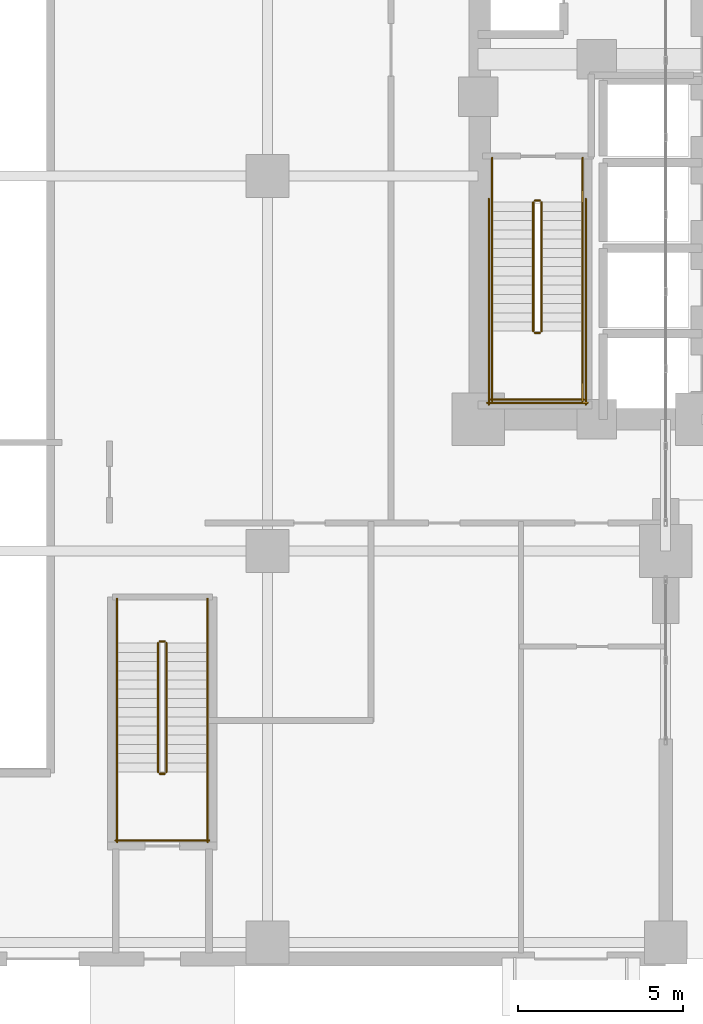
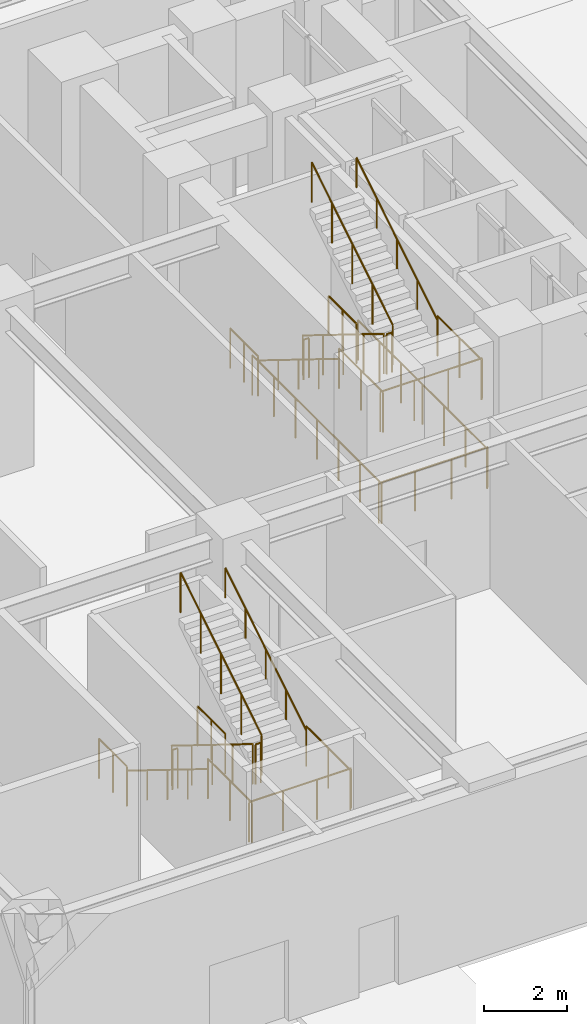
# One storey, part 21 of 23: 25 railings.
"""IFC4 building model written with IfcOpenShell, lengths in metres."""

from ifc_helpers import new_model, si_unit, direction, frame, origin, origin_2d, place, context, subcontext, project, spatial, circle, extrude, material, type_object, element, save


model = new_model("IFC4")

# Units and contexts
model_context = context("Model", 3, precision=1e-05, world=origin(), true_north=direction((0.0, 1.0)))
body_context = subcontext(model_context, "Body", "Model", "MODEL_VIEW")
ifc_project = project(units=[si_unit("LENGTHUNIT", "METRE"), si_unit("AREAUNIT", "SQUARE_METRE"), si_unit("VOLUMEUNIT", "CUBIC_METRE"), si_unit("PLANEANGLEUNIT", "RADIAN"), si_unit("MASSUNIT", "GRAM", prefix="KILO")], contexts=[model_context])

# Site, building, storey
site_placement = place(None, origin())
site = spatial("IfcSite", under=ifc_project, at=site_placement, CompositionType="ELEMENT")
building_placement = place(site_placement, origin())
building = spatial("IfcBuilding", under=site, at=building_placement, Name="Voryun Gate Residences", CompositionType="ELEMENT")
storey_placement = place(building_placement, origin())
storey = spatial("IfcBuildingStorey", under=building, at=storey_placement, Name="L00", CompositionType="ELEMENT", Elevation=0.0)

# Railings
ifc_material_1 = material(Name="Painted steel", Category="steel")
railing_type_1 = type_object("IfcRailingType", Name="RAIL_STAIR_GUARD_1200", PredefinedType="GUARDRAIL", material=ifc_material_1)
railing_1_placement = place(storey_placement, frame((-17.52490234375, -0.800048828125, 0.17333984375)))
element("IfcRailing", 1, at=railing_1_placement, inside=storey, type_object=railing_type_1, Name="L00 ST-W1 stair guard 1", PredefinedType="GUARDRAIL", context=body_context, shape_type="SweptSolid", body=[
    extrude(circle(Radius=0.02392578125, at=origin_2d()), frame((0.0, 0.0, 1.17578125), z_axis=(0.0, -0.850251603719, 0.526376491091), x_axis=(1.0, 0.0, 0.0)), (0.0, 0.0, 1.0), 4.6103515625),
    extrude(circle(Radius=0.02099609375, at=origin_2d()), origin(), (0.0, 0.0, 1.0), 1.15185546875),
    extrude(circle(Radius=0.02099609375, at=origin_2d()), frame((0.0, -0.97998046875, 0.606689453125)), (0.0, 0.0, 1.0), 1.15185546875),
    extrude(circle(Radius=0.02099609375, at=origin_2d()), frame((0.0, -1.9599609375, 1.21337890625)), (0.0, 0.0, 1.0), 1.15185546875),
    extrude(circle(Radius=0.02099609375, at=origin_2d()), frame((0.0, -2.93994140625, 1.820068359375)), (0.0, 0.0, 1.0), 1.15185546875),
    extrude(circle(Radius=0.02099609375, at=origin_2d()), frame((0.0, -3.919921875, 2.4267578125)), (0.0, 0.0, 1.0), 1.15185546875),
])
railing_2_placement = place(storey_placement, frame((-17.47509765625, -4.77001953125, 2.60009765625)))
element("IfcRailing", 2, at=railing_2_placement, inside=storey, type_object=railing_type_1, Name="L00 ST-W1 stair guard 2", PredefinedType="GUARDRAIL", context=body_context, shape_type="SweptSolid", body=[
    extrude(circle(Radius=0.02392578125, at=origin_2d()), frame((0.0, 0.0, 1.17578125), z_axis=(1.0, 0.0, 0.0), x_axis=(0.0, 1.0, 0.0)), (0.0, 0.0, 1.0), 0.150146484375),
    extrude(circle(Radius=0.02099609375, at=origin_2d()), origin(), (0.0, 0.0, 1.0), 1.15185546875),
    extrude(circle(Radius=0.02099609375, at=origin_2d()), frame((0.150146484375, 0.0, 0.0)), (0.0, 0.0, 1.0), 1.15185546875),
])
for number, where, name in (
    (3, (-18.77490234375, -4.719970703125, 2.60009765625), "L00 ST-W1 stair guard 3"),
    (4, (-16.02490234375, -4.719970703125, 2.60009765625), "L00 ST-W1 stair guard 4"),
):
    element("IfcRailing", number, at=place(storey_placement, frame(where)), inside=storey, type_object=railing_type_1, Name=name, PredefinedType="GUARDRAIL", context=body_context, shape_type="SweptSolid", body=[
        extrude(circle(Radius=0.02392578125, at=origin_2d()), frame((0.0, 0.0, 1.17578125), z_axis=(0.0, -1.0, 0.0), x_axis=(1.0, 0.0, 0.0)), (0.0, 0.0, 1.0), 2.130126953125),
        extrude(circle(Radius=0.02099609375, at=origin_2d()), origin(), (0.0, 0.0, 1.0), 1.15185546875),
        extrude(circle(Radius=0.02099609375, at=origin_2d()), frame((0.0, -1.06494140625, 0.0)), (0.0, 0.0, 1.0), 1.15185546875),
        extrude(circle(Radius=0.02099609375, at=origin_2d()), frame((0.0, -2.130126953125, 0.0)), (0.0, 0.0, 1.0), 1.15185546875),
    ])
railing_3_placement = place(storey_placement, frame((-18.824951171875, -6.800048828125, 2.60009765625)))
element("IfcRailing", 5, at=railing_3_placement, inside=storey, type_object=railing_type_1, Name="L00 ST-W1 stair guard 5", PredefinedType="GUARDRAIL", context=body_context, shape_type="SweptSolid", body=[
    extrude(circle(Radius=0.02392578125, at=origin_2d()), frame((0.0, 0.0, 1.17578125), z_axis=(1.0, 0.0, 0.0), x_axis=(0.0, 1.0, 0.0)), (0.0, 0.0, 1.0), 2.849853515625),
    extrude(circle(Radius=0.02099609375, at=origin_2d()), origin(), (0.0, 0.0, 1.0), 1.15185546875),
    extrude(circle(Radius=0.02099609375, at=origin_2d()), frame((0.949951171875, 0.0, 0.0)), (0.0, 0.0, 1.0), 1.15185546875),
    extrude(circle(Radius=0.02099609375, at=origin_2d()), frame((1.89990234375, 0.0, 0.0)), (0.0, 0.0, 1.0), 1.15185546875),
    extrude(circle(Radius=0.02099609375, at=origin_2d()), frame((2.849853515625, 0.0, 0.0)), (0.0, 0.0, 1.0), 1.15185546875),
])
railing_4_placement = place(storey_placement, frame((-17.27490234375, -4.719970703125, 2.7734375)))
element("IfcRailing", 6, at=railing_4_placement, inside=storey, type_object=railing_type_1, Name="L00 ST-W1 stair guard 6", PredefinedType="GUARDRAIL", context=body_context, shape_type="SweptSolid", body=[
    extrude(circle(Radius=0.02392578125, at=origin_2d()), frame((0.0, 0.0, 1.17578125), z_axis=(0.0, 0.850275303828, 0.526338206574), x_axis=(-1.0, 0.0, 0.0)), (0.0, 0.0, 1.0), 4.610107421875),
    extrude(circle(Radius=0.02099609375, at=origin_2d()), origin(), (0.0, 0.0, 1.0), 1.15185546875),
    extrude(circle(Radius=0.02099609375, at=origin_2d()), frame((0.0, 0.97998046875, 0.606689453125)), (0.0, 0.0, 1.0), 1.15185546875),
    extrude(circle(Radius=0.02099609375, at=origin_2d()), frame((0.0, 1.9599609375, 1.21337890625)), (0.0, 0.0, 1.0), 1.15185546875),
    extrude(circle(Radius=0.02099609375, at=origin_2d()), frame((0.0, 2.93994140625, 1.81982421875)), (0.0, 0.0, 1.0), 1.15185546875),
    extrude(circle(Radius=0.02099609375, at=origin_2d()), frame((0.0, 3.919921875, 2.426513671875)), (0.0, 0.0, 1.0), 1.15185546875),
])
railing_5_placement = place(storey_placement, frame((-17.47509765625, -0.75, 0.0)))
element("IfcRailing", 7, at=railing_5_placement, inside=storey, type_object=railing_type_1, Name="L00 ST-W1 stair guard 7", PredefinedType="GUARDRAIL", context=body_context, shape_type="SweptSolid", body=[
    extrude(circle(Radius=0.02392578125, at=origin_2d()), frame((0.0, 0.0, 1.17578125), z_axis=(1.0, 0.0, 0.0), x_axis=(0.0, 1.0, 0.0)), (0.0, 0.0, 1.0), 0.150146484375),
    extrude(circle(Radius=0.02099609375, at=origin_2d()), origin(), (0.0, 0.0, 1.0), 1.15185546875),
    extrude(circle(Radius=0.02099609375, at=origin_2d()), frame((0.150146484375, 0.0, 0.0)), (0.0, 0.0, 1.0), 1.15185546875),
])
for number, where, name in (
    (8, (-18.77490234375, 0.550048828125, 0.0), "L00 ST-W1 stair guard 8"),
    (9, (-16.02490234375, 0.550048828125, 0.0), "L00 ST-W1 stair guard 9"),
):
    element("IfcRailing", number, at=place(storey_placement, frame(where)), inside=storey, type_object=railing_type_1, Name=name, PredefinedType="GUARDRAIL", context=body_context, shape_type="SweptSolid", body=[
        extrude(circle(Radius=0.02392578125, at=origin_2d()), frame((0.0, 0.0, 1.17578125), z_axis=(0.0, -1.0, 0.0), x_axis=(1.0, 0.0, 0.0)), (0.0, 0.0, 1.0), 1.35009765625),
        extrude(circle(Radius=0.02099609375, at=origin_2d()), origin(), (0.0, 0.0, 1.0), 1.15185546875),
        extrude(circle(Radius=0.02099609375, at=origin_2d()), frame((0.0, -0.675048828125, 0.0)), (0.0, 0.0, 1.0), 1.15185546875),
        extrude(circle(Radius=0.02099609375, at=origin_2d()), frame((0.0, -1.35009765625, 0.0)), (0.0, 0.0, 1.0), 1.15185546875),
    ])
for number, where, name in (
    (10, (-18.875, -0.699951171875, 0.0), "L00 ST-W1 stair guard 10"),
    (11, (-15.925048828125, -0.699951171875, 0.0), "L00 ST-W1 stair guard 11"),
):
    element("IfcRailing", number, at=place(storey_placement, frame(where)), inside=storey, type_object=railing_type_1, Name=name, PredefinedType="GUARDRAIL", context=body_context, shape_type="SweptSolid", body=[
        extrude(circle(Radius=0.02392578125, at=origin_2d()), frame((0.0, 0.0, 1.17578125), z_axis=(0.0, -1.0, 0.0), x_axis=(1.0, 0.0, 0.0)), (0.0, 0.0, 1.0), 6.25),
        extrude(circle(Radius=0.02099609375, at=origin_2d()), origin(), (0.0, 0.0, 1.0), 1.15185546875),
        extrude(circle(Radius=0.02099609375, at=origin_2d()), frame((0.0, -1.041748046875, 0.0)), (0.0, 0.0, 1.0), 1.15185546875),
        extrude(circle(Radius=0.02099609375, at=origin_2d()), frame((0.0, -2.083251953125, 0.0)), (0.0, 0.0, 1.0), 1.15185546875),
        extrude(circle(Radius=0.02099609375, at=origin_2d()), frame((0.0, -3.125, 0.0)), (0.0, 0.0, 1.0), 1.15185546875),
        extrude(circle(Radius=0.02099609375, at=origin_2d()), frame((0.0, -4.166748046875, 0.0)), (0.0, 0.0, 1.0), 1.15185546875),
        extrude(circle(Radius=0.02099609375, at=origin_2d()), frame((0.0, -5.208251953125, 0.0)), (0.0, 0.0, 1.0), 1.15185546875),
        extrude(circle(Radius=0.02099609375, at=origin_2d()), frame((0.0, -6.25, 0.0)), (0.0, 0.0, 1.0), 1.15185546875),
    ])
railing_6_placement = place(storey_placement, frame((-18.925048828125, -6.89990234375, 0.0)))
element("IfcRailing", 12, at=railing_6_placement, inside=storey, type_object=railing_type_1, Name="L00 ST-W1 stair guard 12", PredefinedType="GUARDRAIL", context=body_context, shape_type="SweptSolid", body=[
    extrude(circle(Radius=0.02392578125, at=origin_2d()), frame((0.0, 0.0, 1.17578125), z_axis=(1.0, 0.0, 0.0), x_axis=(0.0, 1.0, 0.0)), (0.0, 0.0, 1.0), 3.050048828125),
    extrude(circle(Radius=0.02099609375, at=origin_2d()), origin(), (0.0, 0.0, 1.0), 1.15185546875),
    extrude(circle(Radius=0.02099609375, at=origin_2d()), frame((1.0166015625, 0.0, 0.0)), (0.0, 0.0, 1.0), 1.15185546875),
    extrude(circle(Radius=0.02099609375, at=origin_2d()), frame((2.033447265625, 0.0, 0.0)), (0.0, 0.0, 1.0), 1.15185546875),
    extrude(circle(Radius=0.02099609375, at=origin_2d()), frame((3.050048828125, 0.0, 0.0)), (0.0, 0.0, 1.0), 1.15185546875),
])
railing_7_placement = place(storey_placement, frame((-28.925048828125, -14.199951171875, 0.17333984375)))
element("IfcRailing", 13, at=railing_7_placement, inside=storey, type_object=railing_type_1, Name="L00 ST-P1 stair guard 1", PredefinedType="GUARDRAIL", context=body_context, shape_type="SweptSolid", body=[
    extrude(circle(Radius=0.02392578125, at=origin_2d()), frame((0.0, 0.0, 1.17578125), z_axis=(0.0, -0.850266275192, 0.526352791643), x_axis=(1.0, 0.0, 0.0)), (0.0, 0.0, 1.0), 4.610595703125),
    extrude(circle(Radius=0.02099609375, at=origin_2d()), origin(), (0.0, 0.0, 1.0), 1.15185546875),
    extrude(circle(Radius=0.02099609375, at=origin_2d()), frame((0.0, -0.97998046875, 0.606689453125)), (0.0, 0.0, 1.0), 1.15185546875),
    extrude(circle(Radius=0.02099609375, at=origin_2d()), frame((0.0, -1.9599609375, 1.21337890625)), (0.0, 0.0, 1.0), 1.15185546875),
    extrude(circle(Radius=0.02099609375, at=origin_2d()), frame((0.0, -2.940185546875, 1.820068359375)), (0.0, 0.0, 1.0), 1.15185546875),
    extrude(circle(Radius=0.02099609375, at=origin_2d()), frame((0.0, -3.920166015625, 2.4267578125)), (0.0, 0.0, 1.0), 1.15185546875),
])
railing_8_placement = place(storey_placement, frame((-28.875, -18.169921875, 2.60009765625)))
element("IfcRailing", 14, at=railing_8_placement, inside=storey, type_object=railing_type_1, Name="L00 ST-P1 stair guard 2", PredefinedType="GUARDRAIL", context=body_context, shape_type="SweptSolid", body=[
    extrude(circle(Radius=0.02392578125, at=origin_2d()), frame((0.0, 0.0, 1.17578125), z_axis=(1.0, 0.0, 0.0), x_axis=(0.0, 1.0, 0.0)), (0.0, 0.0, 1.0), 0.14990234375),
    extrude(circle(Radius=0.02099609375, at=origin_2d()), origin(), (0.0, 0.0, 1.0), 1.15185546875),
    extrude(circle(Radius=0.02099609375, at=origin_2d()), frame((0.14990234375, 0.0, 0.0)), (0.0, 0.0, 1.0), 1.15185546875),
])
for number, where, name in (
    (15, (-30.175048828125, -18.1201171875, 2.60009765625), "L00 ST-P1 stair guard 3"),
    (16, (-27.425048828125, -18.1201171875, 2.60009765625), "L00 ST-P1 stair guard 4"),
):
    element("IfcRailing", number, at=place(storey_placement, frame(where)), inside=storey, type_object=railing_type_1, Name=name, PredefinedType="GUARDRAIL", context=body_context, shape_type="SweptSolid", body=[
        extrude(circle(Radius=0.02392578125, at=origin_2d()), frame((0.0, 0.0, 1.17578125), z_axis=(0.0, -1.0, 0.0), x_axis=(1.0, 0.0, 0.0)), (0.0, 0.0, 1.0), 2.1298828125),
        extrude(circle(Radius=0.02099609375, at=origin_2d()), origin(), (0.0, 0.0, 1.0), 1.15185546875),
        extrude(circle(Radius=0.02099609375, at=origin_2d()), frame((0.0, -1.06494140625, 0.0)), (0.0, 0.0, 1.0), 1.15185546875),
        extrude(circle(Radius=0.02099609375, at=origin_2d()), frame((0.0, -2.1298828125, 0.0)), (0.0, 0.0, 1.0), 1.15185546875),
    ])
railing_9_placement = place(storey_placement, frame((-30.22509765625, -20.199951171875, 2.60009765625)))
element("IfcRailing", 17, at=railing_9_placement, inside=storey, type_object=railing_type_1, Name="L00 ST-P1 stair guard 5", PredefinedType="GUARDRAIL", context=body_context, shape_type="SweptSolid", body=[
    extrude(circle(Radius=0.02392578125, at=origin_2d()), frame((0.0, 0.0, 1.17578125), z_axis=(1.0, 0.0, 0.0), x_axis=(0.0, 1.0, 0.0)), (0.0, 0.0, 1.0), 2.85009765625),
    extrude(circle(Radius=0.02099609375, at=origin_2d()), origin(), (0.0, 0.0, 1.0), 1.15185546875),
    extrude(circle(Radius=0.02099609375, at=origin_2d()), frame((0.949951171875, 0.0, 0.0)), (0.0, 0.0, 1.0), 1.15185546875),
    extrude(circle(Radius=0.02099609375, at=origin_2d()), frame((1.900146484375, 0.0, 0.0)), (0.0, 0.0, 1.0), 1.15185546875),
    extrude(circle(Radius=0.02099609375, at=origin_2d()), frame((2.85009765625, 0.0, 0.0)), (0.0, 0.0, 1.0), 1.15185546875),
])
railing_10_placement = place(storey_placement, frame((-28.675048828125, -18.1201171875, 2.7734375)))
element("IfcRailing", 18, at=railing_10_placement, inside=storey, type_object=railing_type_1, Name="L00 ST-P1 stair guard 6", PredefinedType="GUARDRAIL", context=body_context, shape_type="SweptSolid", body=[
    extrude(circle(Radius=0.02392578125, at=origin_2d()), frame((0.0, 0.0, 1.17578125), z_axis=(0.0, 0.850289973577, 0.526314507528), x_axis=(-1.0, 0.0, 0.0)), (0.0, 0.0, 1.0), 4.6103515625),
    extrude(circle(Radius=0.02099609375, at=origin_2d()), origin(), (0.0, 0.0, 1.0), 1.15185546875),
    extrude(circle(Radius=0.02099609375, at=origin_2d()), frame((0.0, 0.97998046875, 0.606689453125)), (0.0, 0.0, 1.0), 1.15185546875),
    extrude(circle(Radius=0.02099609375, at=origin_2d()), frame((0.0, 1.9599609375, 1.21337890625)), (0.0, 0.0, 1.0), 1.15185546875),
    extrude(circle(Radius=0.02099609375, at=origin_2d()), frame((0.0, 2.940185546875, 1.81982421875)), (0.0, 0.0, 1.0), 1.15185546875),
    extrude(circle(Radius=0.02099609375, at=origin_2d()), frame((0.0, 3.920166015625, 2.426513671875)), (0.0, 0.0, 1.0), 1.15185546875),
])
railing_11_placement = place(storey_placement, frame((-28.875, -14.14990234375, 0.0)))
element("IfcRailing", 19, at=railing_11_placement, inside=storey, type_object=railing_type_1, Name="L00 ST-P1 stair guard 7", PredefinedType="GUARDRAIL", context=body_context, shape_type="SweptSolid", body=[
    extrude(circle(Radius=0.02392578125, at=origin_2d()), frame((0.0, 0.0, 1.17578125), z_axis=(1.0, 0.0, 0.0), x_axis=(0.0, 1.0, 0.0)), (0.0, 0.0, 1.0), 0.14990234375),
    extrude(circle(Radius=0.02099609375, at=origin_2d()), origin(), (0.0, 0.0, 1.0), 1.15185546875),
    extrude(circle(Radius=0.02099609375, at=origin_2d()), frame((0.14990234375, 0.0, 0.0)), (0.0, 0.0, 1.0), 1.15185546875),
])
for number, where, name in (
    (20, (-30.175048828125, -12.85009765625, 0.0), "L00 ST-P1 stair guard 8"),
    (21, (-27.425048828125, -12.85009765625, 0.0), "L00 ST-P1 stair guard 9"),
):
    element("IfcRailing", number, at=place(storey_placement, frame(where)), inside=storey, type_object=railing_type_1, Name=name, PredefinedType="GUARDRAIL", context=body_context, shape_type="SweptSolid", body=[
        extrude(circle(Radius=0.02392578125, at=origin_2d()), frame((0.0, 0.0, 1.17578125), z_axis=(0.0, -1.0, 0.0), x_axis=(1.0, 0.0, 0.0)), (0.0, 0.0, 1.0), 1.349853515625),
        extrude(circle(Radius=0.02099609375, at=origin_2d()), origin(), (0.0, 0.0, 1.0), 1.15185546875),
        extrude(circle(Radius=0.02099609375, at=origin_2d()), frame((0.0, -0.6748046875, 0.0)), (0.0, 0.0, 1.0), 1.15185546875),
        extrude(circle(Radius=0.02099609375, at=origin_2d()), frame((0.0, -1.349853515625, 0.0)), (0.0, 0.0, 1.0), 1.15185546875),
    ])
ifc_material_2 = material(Name="Painted steel", Category="steel")
railing_type_2 = type_object("IfcRailingType", Name="RAIL_STAIR_HANDRAIL_900", PredefinedType="HANDRAIL", material=ifc_material_2)
railing_12_placement = place(storey_placement, frame((-18.77490234375, -0.800048828125, 0.17333984375)))
element("IfcRailing", 22, at=railing_12_placement, inside=storey, type_object=railing_type_2, Name="L00 ST-W1 stair handrail 1", PredefinedType="HANDRAIL", context=body_context, shape_type="SweptSolid", body=[
    extrude(circle(Radius=0.02392578125, at=origin_2d()), frame((0.0, 0.0, 0.8759765625), z_axis=(0.0, -0.850251603719, 0.526376491091), x_axis=(1.0, 0.0, 0.0)), (0.0, 0.0, 1.0), 4.6103515625),
    extrude(circle(Radius=0.02099609375, at=origin_2d()), origin(), (0.0, 0.0, 1.0), 0.851806640625),
    extrude(circle(Radius=0.02099609375, at=origin_2d()), frame((0.0, -0.97998046875, 0.606689453125)), (0.0, 0.0, 1.0), 0.851806640625),
    extrude(circle(Radius=0.02099609375, at=origin_2d()), frame((0.0, -1.9599609375, 1.21337890625)), (0.0, 0.0, 1.0), 0.851806640625),
    extrude(circle(Radius=0.02099609375, at=origin_2d()), frame((0.0, -2.93994140625, 1.820068359375)), (0.0, 0.0, 1.0), 0.851806640625),
    extrude(circle(Radius=0.02099609375, at=origin_2d()), frame((0.0, -3.919921875, 2.4267578125)), (0.0, 0.0, 1.0), 0.851806640625),
])
railing_13_placement = place(storey_placement, frame((-16.02490234375, -4.719970703125, 2.7734375)))
element("IfcRailing", 23, at=railing_13_placement, inside=storey, type_object=railing_type_2, Name="L00 ST-W1 stair handrail 2", PredefinedType="HANDRAIL", context=body_context, shape_type="SweptSolid", body=[
    extrude(circle(Radius=0.02392578125, at=origin_2d()), frame((0.0, 0.0, 0.8759765625), z_axis=(0.0, 0.850275303828, 0.526338206574), x_axis=(-1.0, 0.0, 0.0)), (0.0, 0.0, 1.0), 4.610107421875),
    extrude(circle(Radius=0.02099609375, at=origin_2d()), origin(), (0.0, 0.0, 1.0), 0.851806640625),
    extrude(circle(Radius=0.02099609375, at=origin_2d()), frame((0.0, 0.97998046875, 0.606689453125)), (0.0, 0.0, 1.0), 0.851806640625),
    extrude(circle(Radius=0.02099609375, at=origin_2d()), frame((0.0, 1.9599609375, 1.21337890625)), (0.0, 0.0, 1.0), 0.851806640625),
    extrude(circle(Radius=0.02099609375, at=origin_2d()), frame((0.0, 2.93994140625, 1.81982421875)), (0.0, 0.0, 1.0), 0.851806640625),
    extrude(circle(Radius=0.02099609375, at=origin_2d()), frame((0.0, 3.919921875, 2.426513671875)), (0.0, 0.0, 1.0), 0.851806640625),
])
railing_14_placement = place(storey_placement, frame((-30.175048828125, -14.199951171875, 0.17333984375)))
element("IfcRailing", 24, at=railing_14_placement, inside=storey, type_object=railing_type_2, Name="L00 ST-P1 stair handrail 1", PredefinedType="HANDRAIL", context=body_context, shape_type="SweptSolid", body=[
    extrude(circle(Radius=0.02392578125, at=origin_2d()), frame((0.0, 0.0, 0.8759765625), z_axis=(0.0, -0.850266275192, 0.526352791643), x_axis=(1.0, 0.0, 0.0)), (0.0, 0.0, 1.0), 4.610595703125),
    extrude(circle(Radius=0.02099609375, at=origin_2d()), origin(), (0.0, 0.0, 1.0), 0.851806640625),
    extrude(circle(Radius=0.02099609375, at=origin_2d()), frame((0.0, -0.97998046875, 0.606689453125)), (0.0, 0.0, 1.0), 0.851806640625),
    extrude(circle(Radius=0.02099609375, at=origin_2d()), frame((0.0, -1.9599609375, 1.21337890625)), (0.0, 0.0, 1.0), 0.851806640625),
    extrude(circle(Radius=0.02099609375, at=origin_2d()), frame((0.0, -2.940185546875, 1.820068359375)), (0.0, 0.0, 1.0), 0.851806640625),
    extrude(circle(Radius=0.02099609375, at=origin_2d()), frame((0.0, -3.920166015625, 2.4267578125)), (0.0, 0.0, 1.0), 0.851806640625),
])
railing_15_placement = place(storey_placement, frame((-27.425048828125, -18.1201171875, 2.7734375)))
element("IfcRailing", 25, at=railing_15_placement, inside=storey, type_object=railing_type_2, Name="L00 ST-P1 stair handrail 2", PredefinedType="HANDRAIL", context=body_context, shape_type="SweptSolid", body=[
    extrude(circle(Radius=0.02392578125, at=origin_2d()), frame((0.0, 0.0, 0.8759765625), z_axis=(0.0, 0.850289973577, 0.526314507528), x_axis=(-1.0, 0.0, 0.0)), (0.0, 0.0, 1.0), 4.6103515625),
    extrude(circle(Radius=0.02099609375, at=origin_2d()), origin(), (0.0, 0.0, 1.0), 0.851806640625),
    extrude(circle(Radius=0.02099609375, at=origin_2d()), frame((0.0, 0.97998046875, 0.606689453125)), (0.0, 0.0, 1.0), 0.851806640625),
    extrude(circle(Radius=0.02099609375, at=origin_2d()), frame((0.0, 1.9599609375, 1.21337890625)), (0.0, 0.0, 1.0), 0.851806640625),
    extrude(circle(Radius=0.02099609375, at=origin_2d()), frame((0.0, 2.940185546875, 1.81982421875)), (0.0, 0.0, 1.0), 0.851806640625),
    extrude(circle(Radius=0.02099609375, at=origin_2d()), frame((0.0, 3.920166015625, 2.426513671875)), (0.0, 0.0, 1.0), 0.851806640625),
])

save(model, "model.ifc")
